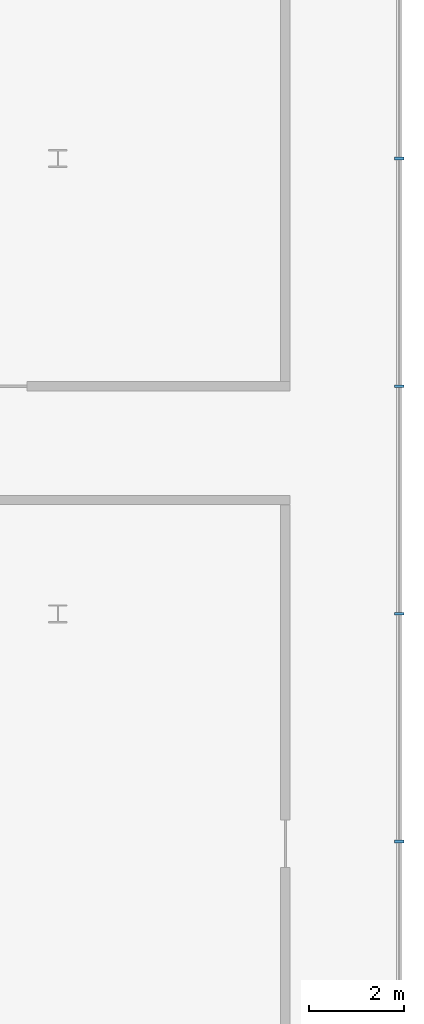
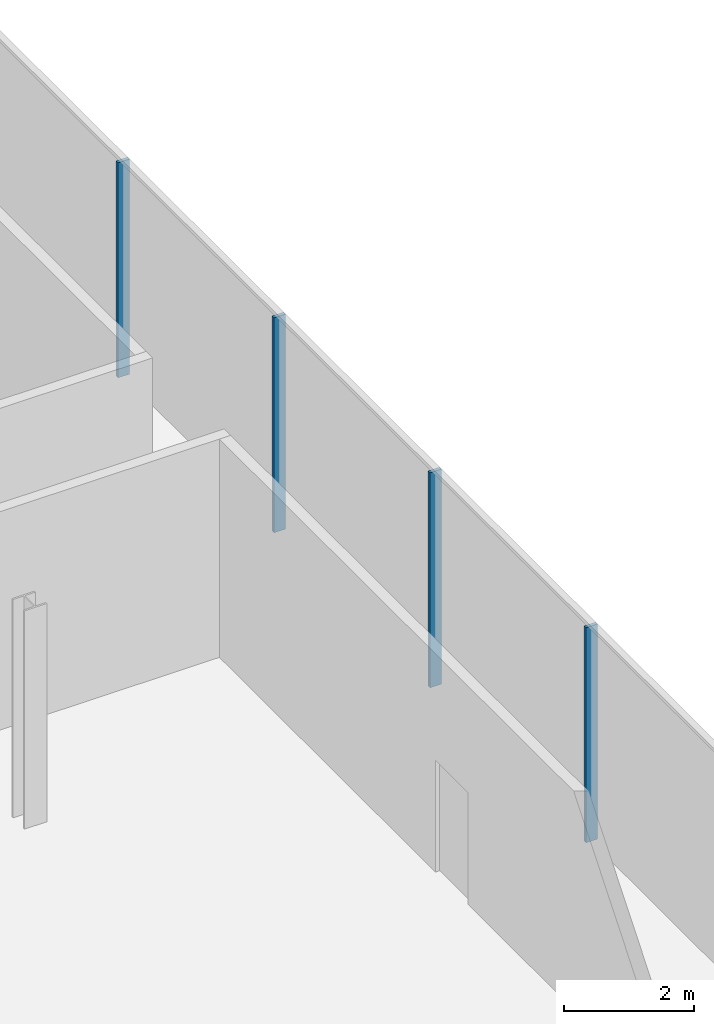
# One storey, part 14 of 32: 4 members, 1 element without a shape of its own.
"""IFC4 building model written with IfcOpenShell, lengths in metres."""

from ifc_helpers import new_model, si_unit, direction, frame, origin, origin_2d, place, context, subcontext, project, spatial, rectangle, extrude, material, layer, layer_set, material_profile, profile_set, type_object, element, aggregate, save


model = new_model("IFC4")

# Units and contexts
model_context = context("Model", 3, precision=1e-05, world=origin(), true_north=direction((0.0, 1.0)))
body_context = subcontext(model_context, "Body", "Model", "MODEL_VIEW")
ifc_project = project(units=[si_unit("LENGTHUNIT", "METRE"), si_unit("AREAUNIT", "SQUARE_METRE"), si_unit("VOLUMEUNIT", "CUBIC_METRE"), si_unit("PLANEANGLEUNIT", "RADIAN"), si_unit("MASSUNIT", "GRAM", prefix="KILO")], contexts=[model_context])

# Site, building, storey
site_placement = place(None, origin())
site = spatial("IfcSite", under=ifc_project, at=site_placement, CompositionType="ELEMENT")
building_placement = place(site_placement, origin())
building = spatial("IfcBuilding", under=site, at=building_placement, Name="Madar Terraces", CompositionType="ELEMENT")
storey_placement = place(building_placement, frame((0.0, 0.0, 19.5)))
storey = spatial("IfcBuildingStorey", under=building, at=storey_placement, Name="L04", CompositionType="ELEMENT", Elevation=19.5)

# Curtain wall, members
ifc_material_1 = material(Name="Glass, clear low-iron, with black aluminium frame", Category="aluminium")
ifc_layer = layer(ifc_material_1, 0.199951171875)
ifc_layer_set = layer_set([ifc_layer], Name="Facade curtain wall, shopfront glazing")
curtain_wall_type = type_object("IfcCurtainWallType", Name="Facade curtain wall, shopfront glazing", PredefinedType="NOTDEFINED", material=ifc_layer_set)
curtain_wall_placement = place(storey_placement, origin())
curtain_wall = element("IfcCurtainWall", 1, at=curtain_wall_placement, inside=storey, type_object=curtain_wall_type, Name="Outer skin curtain wall east bay 1", PredefinedType="NOTDEFINED")
ifc_material_2 = material(Name="Aluminium, black anodised", Category="aluminium")
ifc_material_profile = material_profile(ifc_material_2, rectangle(XDim=0.199951171875, YDim=0.06005859375, at=origin_2d()), Name="Facade mullion 60x200")
ifc_profile_set = profile_set([ifc_material_profile], Name="Aluminium, black anodised")
member_type = type_object("IfcMemberType", Name="Facade mullion 60x200", PredefinedType="MULLION", material=ifc_profile_set)
member_1_placement = place(storey_placement, frame((69.60009765625, 33.60009765625, 0.0), z_axis=(0.0, 0.0, 1.0), x_axis=(-1.0, 0.0, 0.0)))
member_1 = element("IfcMember", 2, at=member_1_placement, type_object=member_type, Name="Mullion 5", PredefinedType="MULLION", context=body_context, shape_type="SweptSolid", body=[
    extrude(rectangle(XDim=0.199951171875, YDim=0.06005859375, at=origin_2d()), origin(), (0.0, 0.0, 1.0), 4.0400390625),
])
member_2_placement = place(storey_placement, frame((69.60009765625, 38.39990234375, 0.0), z_axis=(0.0, 0.0, 1.0), x_axis=(-1.0, 0.0, 0.0)))
member_2 = element("IfcMember", 3, at=member_2_placement, type_object=member_type, Name="Mullion 6", PredefinedType="MULLION", context=body_context, shape_type="SweptSolid", body=[
    extrude(rectangle(XDim=0.199951171875, YDim=0.06005859375, at=origin_2d()), origin(), (0.0, 0.0, 1.0), 4.0400390625),
])
member_3_placement = place(storey_placement, frame((69.60009765625, 43.199951171875, 0.0), z_axis=(0.0, 0.0, 1.0), x_axis=(-1.0, 0.0, 0.0)))
member_3 = element("IfcMember", 4, at=member_3_placement, type_object=member_type, Name="Mullion 7", PredefinedType="MULLION", context=body_context, shape_type="SweptSolid", body=[
    extrude(rectangle(XDim=0.199951171875, YDim=0.06005859375, at=origin_2d()), origin(), (0.0, 0.0, 1.0), 4.0400390625),
])
member_4_placement = place(storey_placement, frame((69.60009765625, 48.0, 0.0), z_axis=(0.0, 0.0, 1.0), x_axis=(-1.0, 0.0, 0.0)))
member_4 = element("IfcMember", 5, at=member_4_placement, type_object=member_type, Name="Mullion 8", PredefinedType="MULLION", context=body_context, shape_type="SweptSolid", body=[
    extrude(rectangle(XDim=0.199951171875, YDim=0.06005859375, at=origin_2d()), origin(), (0.0, 0.0, 1.0), 4.0400390625),
])
aggregate(curtain_wall, [member_1, member_2, member_3, member_4])

save(model, "model.ifc")
